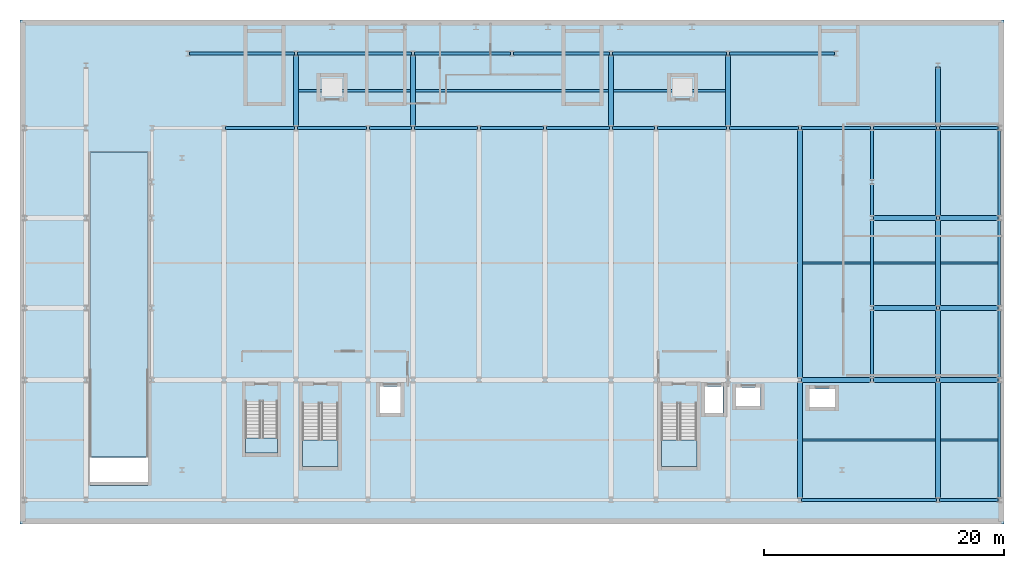
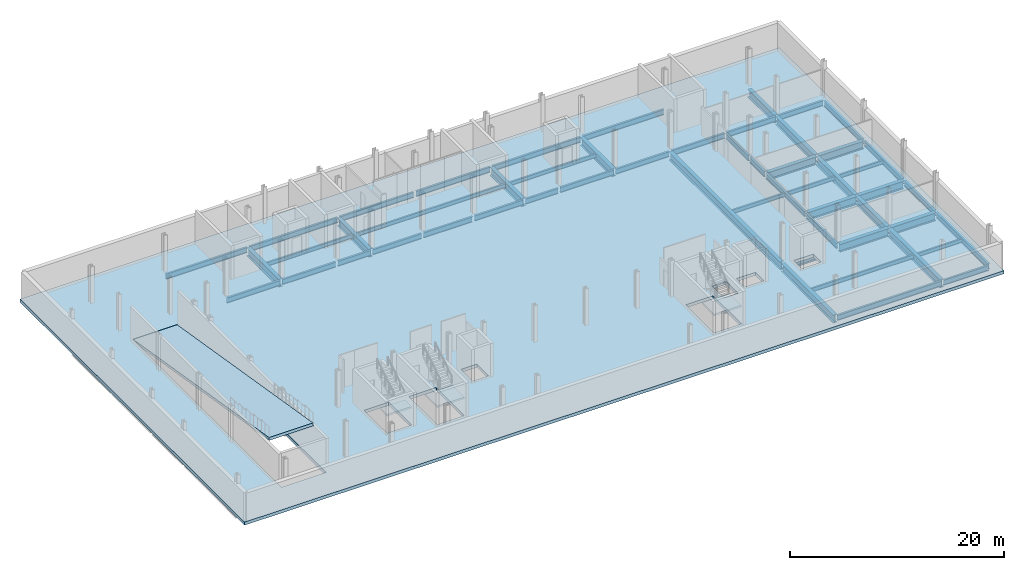
# One storey, part 4 of 12: 54 beams, 5 slabs, 3 elements without a shape of their own.
"""IFC4 building model written with IfcOpenShell, lengths in metres."""

from ifc_helpers import new_model, si_unit, direction, frame, origin, origin_2d, place, context, subcontext, project, spatial, polyline, i_section, outline, extrude, material, layer, layer_set, material_profile, profile_set, type_object, element, aggregate, save


model = new_model("IFC4")

# Units and contexts
model_context = context("Model", 3, precision=1e-05, world=origin(), true_north=direction((0.0, 1.0)))
body_context = subcontext(model_context, "Body", "Model", "MODEL_VIEW")
ifc_project = project(units=[si_unit("LENGTHUNIT", "METRE"), si_unit("AREAUNIT", "SQUARE_METRE"), si_unit("VOLUMEUNIT", "CUBIC_METRE"), si_unit("PLANEANGLEUNIT", "RADIAN"), si_unit("MASSUNIT", "GRAM", prefix="KILO")], contexts=[model_context])

# Site, building, storey
site_placement = place(None, origin())
site = spatial("IfcSite", under=ifc_project, at=site_placement, CompositionType="ELEMENT")
building_placement = place(site_placement, origin())
building = spatial("IfcBuilding", under=site, at=building_placement, Name="Brevholm Reach", CompositionType="ELEMENT")
storey_placement = place(building_placement, frame((0.0, 0.0, -4.199951171875)))
storey = spatial("IfcBuildingStorey", under=building, at=storey_placement, Name="B01", CompositionType="ELEMENT", Elevation=-4.199951171875)

# Beams
ifc_material_1 = material(Name="Structural Steel S355J2", Category="steel")
ifc_material_profile_1 = material_profile(ifc_material_1, i_section(OverallWidth=0.19140625, OverallDepth=0.4599609375, WebThickness=0.010009765625, FlangeThickness=0.01611328125, FilletRadius=0.01025390625, at=origin_2d()), Name="UKB 457x191x82")
ifc_profile_set_1 = profile_set([ifc_material_profile_1], Name="Structural Steel S355J2")
beam_type_1 = type_object("IfcBeamType", Name="BM-B460", PredefinedType="BEAM", material=ifc_profile_set_1)
beam_1_placement = place(storey_placement, frame((54.210205078125, 5.0, -0.590087890625), z_axis=(1.0, 0.0, 0.0), x_axis=(0.0, 1.0, 0.0)))
element("IfcBeam", 1, at=beam_1_placement, inside=storey, type_object=beam_type_1, Name="B01 Composite Secondary Floor Beam", PredefinedType="BEAM", context=body_context, shape_type="SweptSolid", body=[
    extrude(i_section(OverallWidth=0.19140625, OverallDepth=0.4599609375, WebThickness=0.010009765625, FlangeThickness=0.01611328125, FilletRadius=0.01025390625, at=origin_2d()), origin(), (0.0, 0.0, 1.0), 11.07958984375),
])
beam_2_placement = place(storey_placement, frame((65.710205078125, 5.0, -0.590087890625), z_axis=(1.0, 0.0, 0.0), x_axis=(0.0, 1.0, 0.0)))
element("IfcBeam", 2, at=beam_2_placement, inside=storey, type_object=beam_type_1, Name="B01 Composite Secondary Floor Beam", PredefinedType="BEAM", context=body_context, shape_type="SweptSolid", body=[
    extrude(i_section(OverallWidth=0.19140625, OverallDepth=0.4599609375, WebThickness=0.010009765625, FlangeThickness=0.01611328125, FilletRadius=0.01025390625, at=origin_2d()), origin(), (0.0, 0.0, 1.0), 4.775390625),
])
beam_3_placement = place(storey_placement, frame((54.210205078125, 19.75, -0.590087890625), z_axis=(1.0, 0.0, 0.0), x_axis=(0.0, 1.0, 0.0)))
element("IfcBeam", 3, at=beam_3_placement, inside=storey, type_object=beam_type_1, Name="B01 Composite Secondary Floor Beam", PredefinedType="BEAM", context=body_context, shape_type="SweptSolid", body=[
    extrude(i_section(OverallWidth=0.19140625, OverallDepth=0.4599609375, WebThickness=0.010009765625, FlangeThickness=0.01611328125, FilletRadius=0.01025390625, at=origin_2d()), origin(), (0.0, 0.0, 1.0), 5.67529296875),
])
beam_4_placement = place(storey_placement, frame((60.114501953125, 19.75, -0.590087890625), z_axis=(1.0, 0.0, 0.0), x_axis=(0.0, 1.0, 0.0)))
element("IfcBeam", 4, at=beam_4_placement, inside=storey, type_object=beam_type_1, Name="B01 Composite Secondary Floor Beam", PredefinedType="BEAM", context=body_context, shape_type="SweptSolid", body=[
    extrude(i_section(OverallWidth=0.19140625, OverallDepth=0.4599609375, WebThickness=0.010009765625, FlangeThickness=0.01611328125, FilletRadius=0.01025390625, at=origin_2d()), origin(), (0.0, 0.0, 1.0), 5.17529296875),
])
beam_5_placement = place(storey_placement, frame((65.710205078125, 19.75, -0.590087890625), z_axis=(1.0, 0.0, 0.0), x_axis=(0.0, 1.0, 0.0)))
element("IfcBeam", 5, at=beam_5_placement, inside=storey, type_object=beam_type_1, Name="B01 Composite Secondary Floor Beam", PredefinedType="BEAM", context=body_context, shape_type="SweptSolid", body=[
    extrude(i_section(OverallWidth=0.19140625, OverallDepth=0.4599609375, WebThickness=0.010009765625, FlangeThickness=0.01611328125, FilletRadius=0.01025390625, at=origin_2d()), origin(), (0.0, 0.0, 1.0), 4.775390625),
])
beam_6_placement = place(storey_placement, frame((12.210205078125, 34.10009765625, -0.590087890625), z_axis=(1.0, 0.0, 0.0), x_axis=(0.0, 1.0, 0.0)))
element("IfcBeam", 6, at=beam_6_placement, inside=storey, type_object=beam_type_1, Name="B01 Composite Secondary Floor Beam", PredefinedType="BEAM", context=body_context, shape_type="SweptSolid", body=[
    extrude(i_section(OverallWidth=0.19140625, OverallDepth=0.4599609375, WebThickness=0.010009765625, FlangeThickness=0.01611328125, FilletRadius=0.01025390625, at=origin_2d()), origin(), (0.0, 0.0, 1.0), 9.32958984375),
])
beam_7_placement = place(storey_placement, frame((21.960205078125, 34.10009765625, -0.590087890625), z_axis=(1.0, 0.0, 0.0), x_axis=(0.0, 1.0, 0.0)))
element("IfcBeam", 7, at=beam_7_placement, inside=storey, type_object=beam_type_1, Name="B01 Composite Secondary Floor Beam", PredefinedType="BEAM", context=body_context, shape_type="SweptSolid", body=[
    extrude(i_section(OverallWidth=0.19140625, OverallDepth=0.4599609375, WebThickness=0.010009765625, FlangeThickness=0.01611328125, FilletRadius=0.01025390625, at=origin_2d()), origin(), (0.0, 0.0, 1.0), 16.07958984375),
])
beam_8_placement = place(storey_placement, frame((38.460205078125, 34.10009765625, -0.590087890625), z_axis=(1.0, 0.0, 0.0), x_axis=(0.0, 1.0, 0.0)))
element("IfcBeam", 8, at=beam_8_placement, inside=storey, type_object=beam_type_1, Name="B01 Composite Secondary Floor Beam", PredefinedType="BEAM", context=body_context, shape_type="SweptSolid", body=[
    extrude(i_section(OverallWidth=0.19140625, OverallDepth=0.4599609375, WebThickness=0.010009765625, FlangeThickness=0.01611328125, FilletRadius=0.01025390625, at=origin_2d()), origin(), (0.0, 0.0, 1.0), 9.32958984375),
])
ifc_material_2 = material(Name="Structural Steel S355J2", Category="steel")
ifc_material_profile_2 = material_profile(ifc_material_2, i_section(OverallWidth=0.22900390625, OverallDepth=0.6123046875, WebThickness=0.011962890625, FlangeThickness=0.01953125, FilletRadius=0.0126953125, at=origin_2d()), Name="UKB 610x229x125")
ifc_profile_set_2 = profile_set([ifc_material_profile_2], Name="Structural Steel S355J2")
beam_type_2 = type_object("IfcBeamType", Name="BM-SP610", PredefinedType="SPANDREL", material=ifc_profile_set_2)
beam_9_placement = place(storey_placement, frame((54.1201171875, 0.0, -0.666259765625), z_axis=(1.0, 0.0, 0.0), x_axis=(0.0, 1.0, 0.0)))
element("IfcBeam", 9, at=beam_9_placement, inside=storey, type_object=beam_type_2, Name="B01 SP-01 Framing Beam", PredefinedType="SPANDREL", context=body_context, shape_type="SweptSolid", body=[
    extrude(i_section(OverallWidth=0.22900390625, OverallDepth=0.6123046875, WebThickness=0.011962890625, FlangeThickness=0.01953125, FilletRadius=0.0126953125, at=origin_2d()), origin(), (0.0, 0.0, 1.0), 11.259765625),
])
beam_10_placement = place(storey_placement, frame((65.6201171875, 0.0, -0.666259765625), z_axis=(1.0, 0.0, 0.0), x_axis=(0.0, 1.0, 0.0)))
element("IfcBeam", 10, at=beam_10_placement, inside=storey, type_object=beam_type_2, Name="B01 SP-01 Framing Beam", PredefinedType="SPANDREL", context=body_context, shape_type="SweptSolid", body=[
    extrude(i_section(OverallWidth=0.22900390625, OverallDepth=0.6123046875, WebThickness=0.011962890625, FlangeThickness=0.01953125, FilletRadius=0.0126953125, at=origin_2d()), origin(), (0.0, 0.0, 1.0), 4.85986328125),
])
for number, where, z_axis, x_axis, name in (
    (11, (6.1201171875, 31.0, -0.666259765625), (1.0, 0.0, 0.0), (0.0, 1.0, 0.0), "B01 SP-01 Framing Beam"),
    (12, (12.1201171875, 31.0, -0.666259765625), (1.0, 0.0, 0.0), (0.0, 1.0, 0.0), "B01 SP-01 Framing Beam"),
):
    element("IfcBeam", number, at=place(storey_placement, frame(where, z_axis=z_axis, x_axis=x_axis)), inside=storey, type_object=beam_type_2, Name=name, PredefinedType="SPANDREL", context=body_context, shape_type="SweptSolid", body=[
        extrude(i_section(OverallWidth=0.22900390625, OverallDepth=0.6123046875, WebThickness=0.011962890625, FlangeThickness=0.01953125, FilletRadius=0.0126953125, at=origin_2d()), origin(), (0.0, 0.0, 1.0), 5.759765625),
    ])
beam_11_placement = place(storey_placement, frame((18.1201171875, 31.0, -0.666259765625), z_axis=(1.0, 0.0, 0.0), x_axis=(0.0, 1.0, 0.0)))
element("IfcBeam", 13, at=beam_11_placement, inside=storey, type_object=beam_type_2, Name="B01 SP-01 Framing Beam", PredefinedType="SPANDREL", context=body_context, shape_type="SweptSolid", body=[
    extrude(i_section(OverallWidth=0.22900390625, OverallDepth=0.6123046875, WebThickness=0.011962890625, FlangeThickness=0.01953125, FilletRadius=0.0126953125, at=origin_2d()), origin(), (0.0, 0.0, 1.0), 3.509765625),
])
for number, where, z_axis, x_axis, name in (
    (14, (21.8701171875, 31.0, -0.666259765625), (1.0, 0.0, 0.0), (0.0, 1.0, 0.0), "B01 SP-01 Framing Beam"),
    (15, (27.3701171875, 31.0, -0.666259765625), (1.0, 0.0, 0.0), (0.0, 1.0, 0.0), "B01 SP-01 Framing Beam"),
    (16, (32.8701171875, 31.0, -0.666259765625), (1.0, 0.0, 0.0), (0.0, 1.0, 0.0), "B01 SP-01 Framing Beam"),
):
    element("IfcBeam", number, at=place(storey_placement, frame(where, z_axis=z_axis, x_axis=x_axis)), inside=storey, type_object=beam_type_2, Name=name, PredefinedType="SPANDREL", context=body_context, shape_type="SweptSolid", body=[
        extrude(i_section(OverallWidth=0.22900390625, OverallDepth=0.6123046875, WebThickness=0.011962890625, FlangeThickness=0.01953125, FilletRadius=0.0126953125, at=origin_2d()), origin(), (0.0, 0.0, 1.0), 5.259765625),
    ])
beam_12_placement = place(storey_placement, frame((38.3701171875, 31.0, -0.666259765625), z_axis=(1.0, 0.0, 0.0), x_axis=(0.0, 1.0, 0.0)))
element("IfcBeam", 17, at=beam_12_placement, inside=storey, type_object=beam_type_2, Name="B01 SP-01 Framing Beam", PredefinedType="SPANDREL", context=body_context, shape_type="SweptSolid", body=[
    extrude(i_section(OverallWidth=0.22900390625, OverallDepth=0.6123046875, WebThickness=0.011962890625, FlangeThickness=0.01953125, FilletRadius=0.0126953125, at=origin_2d()), origin(), (0.0, 0.0, 1.0), 3.509765625),
])
for number, where, z_axis, x_axis, name in (
    (18, (42.1201171875, 31.0, -0.666259765625), (1.0, 0.0, 0.0), (0.0, 1.0, 0.0), "B01 SP-01 Framing Beam"),
    (19, (48.1201171875, 31.0, -0.666259765625), (1.0, 0.0, 0.0), (0.0, 1.0, 0.0), "B01 SP-01 Framing Beam"),
    (20, (54.1201171875, 31.0, -0.666259765625), (1.0, 0.0, 0.0), (0.0, 1.0, 0.0), "B01 SP-01 Framing Beam"),
):
    element("IfcBeam", number, at=place(storey_placement, frame(where, z_axis=z_axis, x_axis=x_axis)), inside=storey, type_object=beam_type_2, Name=name, PredefinedType="SPANDREL", context=body_context, shape_type="SweptSolid", body=[
        extrude(i_section(OverallWidth=0.22900390625, OverallDepth=0.6123046875, WebThickness=0.011962890625, FlangeThickness=0.01953125, FilletRadius=0.0126953125, at=origin_2d()), origin(), (0.0, 0.0, 1.0), 5.759765625),
    ])
beam_13_placement = place(storey_placement, frame((60.1201171875, 31.0, -0.666259765625), z_axis=(1.0, 0.0, 0.0), x_axis=(0.0, 1.0, 0.0)))
element("IfcBeam", 21, at=beam_13_placement, inside=storey, type_object=beam_type_2, Name="B01 SP-01 Framing Beam", PredefinedType="SPANDREL", context=body_context, shape_type="SweptSolid", body=[
    extrude(i_section(OverallWidth=0.22900390625, OverallDepth=0.6123046875, WebThickness=0.011962890625, FlangeThickness=0.01953125, FilletRadius=0.0126953125, at=origin_2d()), origin(), (0.0, 0.0, 1.0), 5.259765625),
])
beam_14_placement = place(storey_placement, frame((65.6201171875, 31.0, -0.666259765625), z_axis=(1.0, 0.0, 0.0), x_axis=(0.0, 1.0, 0.0)))
element("IfcBeam", 22, at=beam_14_placement, inside=storey, type_object=beam_type_2, Name="B01 SP-01 Framing Beam", PredefinedType="SPANDREL", context=body_context, shape_type="SweptSolid", body=[
    extrude(i_section(OverallWidth=0.22900390625, OverallDepth=0.6123046875, WebThickness=0.011962890625, FlangeThickness=0.01953125, FilletRadius=0.0126953125, at=origin_2d()), origin(), (0.0, 0.0, 1.0), 4.85986328125),
])
beam_15_placement = place(storey_placement, frame((3.1201171875, 37.199951171875, -0.666259765625), z_axis=(1.0, 0.0, 0.0), x_axis=(0.0, 1.0, 0.0)))
element("IfcBeam", 23, at=beam_15_placement, inside=storey, type_object=beam_type_2, Name="B01 SP-01 Framing Beam", PredefinedType="SPANDREL", context=body_context, shape_type="SweptSolid", body=[
    extrude(i_section(OverallWidth=0.22900390625, OverallDepth=0.6123046875, WebThickness=0.011962890625, FlangeThickness=0.01953125, FilletRadius=0.0126953125, at=origin_2d()), origin(), (0.0, 0.0, 1.0), 8.759765625),
])
beam_16_placement = place(storey_placement, frame((12.1201171875, 37.199951171875, -0.666259765625), z_axis=(1.0, 0.0, 0.0), x_axis=(0.0, 1.0, 0.0)))
element("IfcBeam", 24, at=beam_16_placement, inside=storey, type_object=beam_type_2, Name="B01 SP-01 Framing Beam", PredefinedType="SPANDREL", context=body_context, shape_type="SweptSolid", body=[
    extrude(i_section(OverallWidth=0.22900390625, OverallDepth=0.6123046875, WebThickness=0.011962890625, FlangeThickness=0.01953125, FilletRadius=0.0126953125, at=origin_2d()), origin(), (0.0, 0.0, 1.0), 9.509765625),
])
for number, where, z_axis, x_axis, name in (
    (25, (21.8701171875, 37.199951171875, -0.666259765625), (1.0, 0.0, 0.0), (0.0, 1.0, 0.0), "B01 SP-01 Framing Beam"),
    (26, (30.1201171875, 37.199951171875, -0.666259765625), (1.0, 0.0, 0.0), (0.0, 1.0, 0.0), "B01 SP-01 Framing Beam"),
):
    element("IfcBeam", number, at=place(storey_placement, frame(where, z_axis=z_axis, x_axis=x_axis)), inside=storey, type_object=beam_type_2, Name=name, PredefinedType="SPANDREL", context=body_context, shape_type="SweptSolid", body=[
        extrude(i_section(OverallWidth=0.22900390625, OverallDepth=0.6123046875, WebThickness=0.011962890625, FlangeThickness=0.01953125, FilletRadius=0.0126953125, at=origin_2d()), origin(), (0.0, 0.0, 1.0), 8.009765625),
    ])
beam_17_placement = place(storey_placement, frame((38.3701171875, 37.199951171875, -0.666259765625), z_axis=(1.0, 0.0, 0.0), x_axis=(0.0, 1.0, 0.0)))
element("IfcBeam", 27, at=beam_17_placement, inside=storey, type_object=beam_type_2, Name="B01 SP-01 Framing Beam", PredefinedType="SPANDREL", context=body_context, shape_type="SweptSolid", body=[
    extrude(i_section(OverallWidth=0.22900390625, OverallDepth=0.6123046875, WebThickness=0.011962890625, FlangeThickness=0.01953125, FilletRadius=0.0126953125, at=origin_2d()), origin(), (0.0, 0.0, 1.0), 9.509765625),
])
beam_18_placement = place(storey_placement, frame((48.1201171875, 37.199951171875, -0.666259765625), z_axis=(1.0, 0.0, 0.0), x_axis=(0.0, 1.0, 0.0)))
element("IfcBeam", 28, at=beam_18_placement, inside=storey, type_object=beam_type_2, Name="B01 SP-01 Framing Beam", PredefinedType="SPANDREL", context=body_context, shape_type="SweptSolid", body=[
    extrude(i_section(OverallWidth=0.22900390625, OverallDepth=0.6123046875, WebThickness=0.011962890625, FlangeThickness=0.01953125, FilletRadius=0.0126953125, at=origin_2d()), origin(), (0.0, 0.0, 1.0), 8.759765625),
])
beam_19_placement = place(storey_placement, frame((60.0, 10.1201171875, -0.666259765625), z_axis=(0.0, 1.0, 0.0), x_axis=(-1.0, 0.0, 0.0)))
element("IfcBeam", 29, at=beam_19_placement, inside=storey, type_object=beam_type_2, Name="B01 SP-01 Framing Beam", PredefinedType="SPANDREL", context=body_context, shape_type="SweptSolid", body=[
    extrude(i_section(OverallWidth=0.22900390625, OverallDepth=0.6123046875, WebThickness=0.011962890625, FlangeThickness=0.01953125, FilletRadius=0.0126953125, at=origin_2d()), origin(), (0.0, 0.0, 1.0), 5.759765625),
])
beam_20_placement = place(storey_placement, frame((60.0, 16.1201171875, -0.666259765625), z_axis=(0.0, 1.0, 0.0), x_axis=(-1.0, 0.0, 0.0)))
element("IfcBeam", 30, at=beam_20_placement, inside=storey, type_object=beam_type_2, Name="B01 SP-01 Framing Beam", PredefinedType="SPANDREL", context=body_context, shape_type="SweptSolid", body=[
    extrude(i_section(OverallWidth=0.22900390625, OverallDepth=0.6123046875, WebThickness=0.011962890625, FlangeThickness=0.01953125, FilletRadius=0.0126953125, at=origin_2d()), origin(), (0.0, 0.0, 1.0), 7.259765625),
])
beam_21_placement = place(storey_placement, frame((60.0, 23.6201171875, -0.666259765625), z_axis=(0.0, 1.0, 0.0), x_axis=(-1.0, 0.0, 0.0)))
element("IfcBeam", 31, at=beam_21_placement, inside=storey, type_object=beam_type_2, Name="B01 SP-01 Framing Beam", PredefinedType="SPANDREL", context=body_context, shape_type="SweptSolid", body=[
    extrude(i_section(OverallWidth=0.22900390625, OverallDepth=0.6123046875, WebThickness=0.011962890625, FlangeThickness=0.01953125, FilletRadius=0.0126953125, at=origin_2d()), origin(), (0.0, 0.0, 1.0), 2.759765625),
])
beam_22_placement = place(storey_placement, frame((60.0, 26.6201171875, -0.666259765625), z_axis=(0.0, 1.0, 0.0), x_axis=(-1.0, 0.0, 0.0)))
element("IfcBeam", 32, at=beam_22_placement, inside=storey, type_object=beam_type_2, Name="B01 SP-01 Framing Beam", PredefinedType="SPANDREL", context=body_context, shape_type="SweptSolid", body=[
    extrude(i_section(OverallWidth=0.22900390625, OverallDepth=0.6123046875, WebThickness=0.011962890625, FlangeThickness=0.01953125, FilletRadius=0.0126953125, at=origin_2d()), origin(), (0.0, 0.0, 1.0), 4.259765625),
])
beam_23_placement = place(storey_placement, frame((70.60009765625, 0.1201171875, -0.666259765625), z_axis=(0.0, 1.0, 0.0), x_axis=(-1.0, 0.0, 0.0)))
element("IfcBeam", 33, at=beam_23_placement, inside=storey, type_object=beam_type_2, Name="B01 SP-01 Framing Beam", PredefinedType="SPANDREL", context=body_context, shape_type="SweptSolid", body=[
    extrude(i_section(OverallWidth=0.22900390625, OverallDepth=0.6123046875, WebThickness=0.011962890625, FlangeThickness=0.01953125, FilletRadius=0.0126953125, at=origin_2d()), origin(), (0.0, 0.0, 1.0), 9.759765625),
])
beam_24_placement = place(storey_placement, frame((70.60009765625, 10.1201171875, -0.666259765625), z_axis=(0.0, 1.0, 0.0), x_axis=(-1.0, 0.0, 0.0)))
element("IfcBeam", 34, at=beam_24_placement, inside=storey, type_object=beam_type_2, Name="B01 SP-01 Framing Beam", PredefinedType="SPANDREL", context=body_context, shape_type="SweptSolid", body=[
    extrude(i_section(OverallWidth=0.22900390625, OverallDepth=0.6123046875, WebThickness=0.011962890625, FlangeThickness=0.01953125, FilletRadius=0.0126953125, at=origin_2d()), origin(), (0.0, 0.0, 1.0), 5.759765625),
])
for number, where, z_axis, x_axis, name in (
    (35, (70.60009765625, 16.1201171875, -0.666259765625), (0.0, 1.0, 0.0), (-1.0, 0.0, 0.0), "B01 SP-01 Framing Beam"),
    (36, (70.60009765625, 23.6201171875, -0.666259765625), (0.0, 1.0, 0.0), (-1.0, 0.0, 0.0), "B01 SP-01 Framing Beam"),
):
    element("IfcBeam", number, at=place(storey_placement, frame(where, z_axis=z_axis, x_axis=x_axis)), inside=storey, type_object=beam_type_2, Name=name, PredefinedType="SPANDREL", context=body_context, shape_type="SweptSolid", body=[
        extrude(i_section(OverallWidth=0.22900390625, OverallDepth=0.6123046875, WebThickness=0.011962890625, FlangeThickness=0.01953125, FilletRadius=0.0126953125, at=origin_2d()), origin(), (0.0, 0.0, 1.0), 7.259765625),
    ])
ifc_material_3 = material(Name="Structural Steel S460ML", Category="steel")
ifc_material_profile_3 = material_profile(ifc_material_3, i_section(OverallWidth=0.42041015625, OverallDepth=0.9208984375, WebThickness=0.021484375, FlangeThickness=0.03662109375, FilletRadius=0.024169921875, at=origin_2d()), Name="UKB 914x419x388")
ifc_profile_set_3 = profile_set([ifc_material_profile_3], Name="Structural Steel S460ML")
beam_type_3 = type_object("IfcBeamType", Name="BM-UKB914", PredefinedType="USERDEFINED", material=ifc_profile_set_3)
beam_25_placement = place(storey_placement, frame((54.1201171875, 10.0, -0.820556640625), z_axis=(1.0, 0.0, 0.0), x_axis=(0.0, 1.0, 0.0)))
element("IfcBeam", 37, at=beam_25_placement, inside=storey, type_object=beam_type_3, Name="B01 G-02 Framing Beam", ObjectType="GIRDER", PredefinedType="USERDEFINED", context=body_context, shape_type="SweptSolid", body=[
    extrude(i_section(OverallWidth=0.42041015625, OverallDepth=0.9208984375, WebThickness=0.021484375, FlangeThickness=0.03662109375, FilletRadius=0.024169921875, at=origin_2d()), origin(), (0.0, 0.0, 1.0), 5.759765625),
])
beam_26_placement = place(storey_placement, frame((60.1201171875, 10.0, -0.820556640625), z_axis=(1.0, 0.0, 0.0), x_axis=(0.0, 1.0, 0.0)))
element("IfcBeam", 38, at=beam_26_placement, inside=storey, type_object=beam_type_3, Name="B01 G-02 Framing Beam", ObjectType="GIRDER", PredefinedType="USERDEFINED", context=body_context, shape_type="SweptSolid", body=[
    extrude(i_section(OverallWidth=0.42041015625, OverallDepth=0.9208984375, WebThickness=0.021484375, FlangeThickness=0.03662109375, FilletRadius=0.024169921875, at=origin_2d()), origin(), (0.0, 0.0, 1.0), 5.259765625),
])
beam_27_placement = place(storey_placement, frame((65.6201171875, 10.0, -0.820556640625), z_axis=(1.0, 0.0, 0.0), x_axis=(0.0, 1.0, 0.0)))
element("IfcBeam", 39, at=beam_27_placement, inside=storey, type_object=beam_type_3, Name="B01 G-02 Framing Beam", ObjectType="GIRDER", PredefinedType="USERDEFINED", context=body_context, shape_type="SweptSolid", body=[
    extrude(i_section(OverallWidth=0.42041015625, OverallDepth=0.9208984375, WebThickness=0.021484375, FlangeThickness=0.03662109375, FilletRadius=0.024169921875, at=origin_2d()), origin(), (0.0, 0.0, 1.0), 4.85986328125),
])
beam_28_placement = place(storey_placement, frame((60.1201171875, 16.0, -0.820556640625), z_axis=(1.0, 0.0, 0.0), x_axis=(0.0, 1.0, 0.0)))
element("IfcBeam", 40, at=beam_28_placement, inside=storey, type_object=beam_type_3, Name="B01 G-02 Framing Beam", ObjectType="GIRDER", PredefinedType="USERDEFINED", context=body_context, shape_type="SweptSolid", body=[
    extrude(i_section(OverallWidth=0.42041015625, OverallDepth=0.9208984375, WebThickness=0.021484375, FlangeThickness=0.03662109375, FilletRadius=0.024169921875, at=origin_2d()), origin(), (0.0, 0.0, 1.0), 5.259765625),
])
beam_29_placement = place(storey_placement, frame((65.6201171875, 16.0, -0.820556640625), z_axis=(1.0, 0.0, 0.0), x_axis=(0.0, 1.0, 0.0)))
element("IfcBeam", 41, at=beam_29_placement, inside=storey, type_object=beam_type_3, Name="B01 G-02 Framing Beam", ObjectType="GIRDER", PredefinedType="USERDEFINED", context=body_context, shape_type="SweptSolid", body=[
    extrude(i_section(OverallWidth=0.42041015625, OverallDepth=0.9208984375, WebThickness=0.021484375, FlangeThickness=0.03662109375, FilletRadius=0.024169921875, at=origin_2d()), origin(), (0.0, 0.0, 1.0), 4.85986328125),
])
beam_30_placement = place(storey_placement, frame((60.1201171875, 23.5, -0.820556640625), z_axis=(1.0, 0.0, 0.0), x_axis=(0.0, 1.0, 0.0)))
element("IfcBeam", 42, at=beam_30_placement, inside=storey, type_object=beam_type_3, Name="B01 G-02 Framing Beam", ObjectType="GIRDER", PredefinedType="USERDEFINED", context=body_context, shape_type="SweptSolid", body=[
    extrude(i_section(OverallWidth=0.42041015625, OverallDepth=0.9208984375, WebThickness=0.021484375, FlangeThickness=0.03662109375, FilletRadius=0.024169921875, at=origin_2d()), origin(), (0.0, 0.0, 1.0), 5.259765625),
])
beam_31_placement = place(storey_placement, frame((65.6201171875, 23.5, -0.820556640625), z_axis=(1.0, 0.0, 0.0), x_axis=(0.0, 1.0, 0.0)))
element("IfcBeam", 43, at=beam_31_placement, inside=storey, type_object=beam_type_3, Name="B01 G-02 Framing Beam", ObjectType="GIRDER", PredefinedType="USERDEFINED", context=body_context, shape_type="SweptSolid", body=[
    extrude(i_section(OverallWidth=0.42041015625, OverallDepth=0.9208984375, WebThickness=0.021484375, FlangeThickness=0.03662109375, FilletRadius=0.024169921875, at=origin_2d()), origin(), (0.0, 0.0, 1.0), 4.85986328125),
])
for number, where, z_axis, x_axis, name in (
    (44, (12.0, 31.1201171875, -0.820556640625), (0.0, 1.0, 0.0), (-1.0, 0.0, 0.0), "B01 G-02 Framing Beam"),
    (45, (21.75, 31.1201171875, -0.820556640625), (0.0, 1.0, 0.0), (-1.0, 0.0, 0.0), "B01 G-02 Framing Beam"),
    (46, (38.25, 31.1201171875, -0.820556640625), (0.0, 1.0, 0.0), (-1.0, 0.0, 0.0), "B01 G-02 Framing Beam"),
    (47, (48.0, 31.1201171875, -0.820556640625), (0.0, 1.0, 0.0), (-1.0, 0.0, 0.0), "B01 G-02 Framing Beam"),
):
    element("IfcBeam", number, at=place(storey_placement, frame(where, z_axis=z_axis, x_axis=x_axis)), inside=storey, type_object=beam_type_3, Name=name, ObjectType="GIRDER", PredefinedType="USERDEFINED", context=body_context, shape_type="SweptSolid", body=[
        extrude(i_section(OverallWidth=0.42041015625, OverallDepth=0.9208984375, WebThickness=0.021484375, FlangeThickness=0.03662109375, FilletRadius=0.024169921875, at=origin_2d()), origin(), (0.0, 0.0, 1.0), 5.9599609375),
    ])
beam_32_placement = place(storey_placement, frame((54.0, 0.1201171875, -0.820556640625), z_axis=(0.0, 1.0, 0.0), x_axis=(-1.0, 0.0, 0.0)))
element("IfcBeam", 48, at=beam_32_placement, inside=storey, type_object=beam_type_3, Name="B01 G-02 Framing Beam", ObjectType="GIRDER", PredefinedType="USERDEFINED", context=body_context, shape_type="SweptSolid", body=[
    extrude(i_section(OverallWidth=0.42041015625, OverallDepth=0.9208984375, WebThickness=0.021484375, FlangeThickness=0.03662109375, FilletRadius=0.024169921875, at=origin_2d()), origin(), (0.0, 0.0, 1.0), 9.759765625),
])
beam_33_placement = place(storey_placement, frame((54.0, 10.1201171875, -0.820556640625), z_axis=(0.0, 1.0, 0.0), x_axis=(-1.0, 0.0, 0.0)))
element("IfcBeam", 49, at=beam_33_placement, inside=storey, type_object=beam_type_3, Name="B01 G-02 Framing Beam", ObjectType="GIRDER", PredefinedType="USERDEFINED", context=body_context, shape_type="SweptSolid", body=[
    extrude(i_section(OverallWidth=0.42041015625, OverallDepth=0.9208984375, WebThickness=0.021484375, FlangeThickness=0.03662109375, FilletRadius=0.024169921875, at=origin_2d()), origin(), (0.0, 0.0, 1.0), 20.759765625),
])
beam_34_placement = place(storey_placement, frame((65.5, 0.1201171875, -0.820556640625), z_axis=(0.0, 1.0, 0.0), x_axis=(-1.0, 0.0, 0.0)))
element("IfcBeam", 50, at=beam_34_placement, inside=storey, type_object=beam_type_3, Name="B01 G-02 Framing Beam", ObjectType="GIRDER", PredefinedType="USERDEFINED", context=body_context, shape_type="SweptSolid", body=[
    extrude(i_section(OverallWidth=0.42041015625, OverallDepth=0.9208984375, WebThickness=0.021484375, FlangeThickness=0.03662109375, FilletRadius=0.024169921875, at=origin_2d()), origin(), (0.0, 0.0, 1.0), 9.759765625),
])
beam_35_placement = place(storey_placement, frame((65.5, 10.1201171875, -0.820556640625), z_axis=(0.0, 1.0, 0.0), x_axis=(-1.0, 0.0, 0.0)))
element("IfcBeam", 51, at=beam_35_placement, inside=storey, type_object=beam_type_3, Name="B01 G-02 Framing Beam", ObjectType="GIRDER", PredefinedType="USERDEFINED", context=body_context, shape_type="SweptSolid", body=[
    extrude(i_section(OverallWidth=0.42041015625, OverallDepth=0.9208984375, WebThickness=0.021484375, FlangeThickness=0.03662109375, FilletRadius=0.024169921875, at=origin_2d()), origin(), (0.0, 0.0, 1.0), 5.759765625),
])
for number, where, z_axis, x_axis, name in (
    (52, (65.5, 16.1201171875, -0.820556640625), (0.0, 1.0, 0.0), (-1.0, 0.0, 0.0), "B01 G-02 Framing Beam"),
    (53, (65.5, 23.6201171875, -0.820556640625), (0.0, 1.0, 0.0), (-1.0, 0.0, 0.0), "B01 G-02 Framing Beam"),
):
    element("IfcBeam", number, at=place(storey_placement, frame(where, z_axis=z_axis, x_axis=x_axis)), inside=storey, type_object=beam_type_3, Name=name, ObjectType="GIRDER", PredefinedType="USERDEFINED", context=body_context, shape_type="SweptSolid", body=[
        extrude(i_section(OverallWidth=0.42041015625, OverallDepth=0.9208984375, WebThickness=0.021484375, FlangeThickness=0.03662109375, FilletRadius=0.024169921875, at=origin_2d()), origin(), (0.0, 0.0, 1.0), 7.259765625),
    ])
beam_36_placement = place(storey_placement, frame((65.5, 31.1201171875, -0.820556640625), z_axis=(0.0, 1.0, 0.0), x_axis=(-1.0, 0.0, 0.0)))
element("IfcBeam", 54, at=beam_36_placement, inside=storey, type_object=beam_type_3, Name="B01 G-02 Framing Beam", ObjectType="GIRDER", PredefinedType="USERDEFINED", context=body_context, shape_type="SweptSolid", body=[
    extrude(i_section(OverallWidth=0.42041015625, OverallDepth=0.9208984375, WebThickness=0.021484375, FlangeThickness=0.03662109375, FilletRadius=0.024169921875, at=origin_2d()), origin(), (0.0, 0.0, 1.0), 4.9599609375),
])

# Slab
ifc_material_4 = material(Name="Concrete C50/60", Category="concrete")
ifc_layer_1 = layer(ifc_material_4, 0.360107421875)
ifc_layer_set_1 = layer_set([ifc_layer_1], Name="Concrete C50/60")
slab_type_1 = type_object("IfcSlabType", Name="SLB-FL-360", PredefinedType="FLOOR", material=ifc_layer_set_1)
slab_1_placement = place(storey_placement, frame((0.0, 0.0, -0.360107421875)))
element("IfcSlab", 55, at=slab_1_placement, inside=storey, type_object=slab_type_1, Name="B01 Suspended Floor Slab (main)", PredefinedType="FLOOR", context=body_context, shape_type="SweptSolid", body=[
    extrude(outline(polyline([(-11.0, -2.0), (71.0, -2.0), (71.0, 40.0), (-11.0, 40.0), (-11.0, -2.0)]), holes=[polyline([(-5.14990234375, 1.199951171875), (-0.35009765625, 1.199951171875), (-0.35009765625, 29.0400390625), (-5.14990234375, 29.0400390625), (-5.14990234375, 1.199951171875)]), polyline([(12.550048828125, 2.780029296875), (15.5, 2.780029296875), (15.5, 8.044921875), (12.550048828125, 8.044921875), (12.550048828125, 2.780029296875)]), polyline([(42.449951171875, 2.780029296875), (45.39990234375, 2.780029296875), (45.39990234375, 8.044921875), (42.449951171875, 8.044921875), (42.449951171875, 2.780029296875)]), polyline([(7.800048828125, 3.919921875), (10.449951171875, 3.919921875), (10.449951171875, 8.195068359375), (7.800048828125, 8.195068359375), (7.800048828125, 3.919921875)]), polyline([(19.0, 7.25), (20.699951171875, 7.25), (20.699951171875, 9.449951171875), (19.0, 9.449951171875), (19.0, 7.25)]), polyline([(46.10009765625, 7.25), (47.60009765625, 7.25), (47.60009765625, 9.449951171875), (46.10009765625, 9.449951171875), (46.10009765625, 7.25)]), polyline([(48.675048828125, 7.824951171875), (50.72509765625, 7.824951171875), (50.72509765625, 9.375), (48.675048828125, 9.375), (48.675048828125, 7.824951171875)]), polyline([(54.800048828125, 7.75), (56.89990234375, 7.75), (56.89990234375, 9.25), (54.800048828125, 9.25), (54.800048828125, 7.75)])]), origin(), (0.0, 0.0, 1.0), 0.360107421875),
])

# Stair, slab
ifc_material_5 = material(Name="Precast Concrete C40/50", Category="concrete")
stair_type_1 = type_object("IfcStairType", Name="STR-ESC-1400", PredefinedType="DOUBLE_RETURN_STAIR", material=ifc_material_5)
stair_1_placement = place(storey_placement, origin())
stair_1 = element("IfcStair", 56, at=stair_1_placement, inside=storey, type_object=stair_type_1, Name="B01 ST-1", PredefinedType="DOUBLE_RETURN_STAIR")
ifc_material_6 = material(Name="Concrete C40/50", Category="concrete")
ifc_layer_2 = layer(ifc_material_6, 0.199951171875)
ifc_layer_set_2 = layer_set([ifc_layer_2], Name="Concrete C40/50")
slab_type_2 = type_object("IfcSlabType", Name="SLB-LND-200", PredefinedType="LANDING", material=ifc_layer_set_2)
slab_2_placement = place(storey_placement, frame((0.0, 0.0, 1.89990234375)))
slab_2 = element("IfcSlab", 57, at=slab_2_placement, type_object=slab_type_2, Name="ST-1 landing 1", PredefinedType="LANDING", context=body_context, shape_type="SweptSolid", body=[
    extrude(outline(polyline([(12.550048828125, 5.02001953125), (12.550048828125, 2.780029296875), (15.5, 2.780029296875), (15.5, 5.02001953125), (12.550048828125, 5.02001953125)])), origin(), (0.0, 0.0, 1.0), 0.199951171875),
])
aggregate(stair_1, [slab_2])

stair_2_placement = place(storey_placement, origin())
stair_2 = element("IfcStair", 58, at=stair_2_placement, inside=storey, type_object=stair_type_1, Name="B01 ST-2", PredefinedType="DOUBLE_RETURN_STAIR")
slab_3_placement = place(storey_placement, frame((0.0, 0.0, 1.89990234375)))
slab_3 = element("IfcSlab", 59, at=slab_3_placement, type_object=slab_type_2, Name="ST-2 landing 1", PredefinedType="LANDING", context=body_context, shape_type="SweptSolid", body=[
    extrude(outline(polyline([(42.449951171875, 5.02001953125), (42.449951171875, 2.780029296875), (45.39990234375, 2.780029296875), (45.39990234375, 5.02001953125), (42.449951171875, 5.02001953125)])), origin(), (0.0, 0.0, 1.0), 0.199951171875),
])
aggregate(stair_2, [slab_3])

ifc_material_7 = material(Name="Precast Concrete C40/50", Category="concrete")
stair_type_2 = type_object("IfcStairType", Name="STR-ESC-1250", PredefinedType="DOUBLE_RETURN_STAIR", material=ifc_material_7)
stair_3_placement = place(storey_placement, origin())
stair_3 = element("IfcStair", 60, at=stair_3_placement, inside=storey, type_object=stair_type_2, Name="B01 ST-B1", PredefinedType="DOUBLE_RETURN_STAIR")
slab_4_placement = place(storey_placement, frame((0.0, 0.0, 1.89990234375)))
slab_4 = element("IfcSlab", 61, at=slab_4_placement, type_object=slab_type_2, Name="ST-B1 landing 1", PredefinedType="LANDING", context=body_context, shape_type="SweptSolid", body=[
    extrude(outline(polyline([(7.800048828125, 5.169921875), (7.800048828125, 3.919921875), (10.449951171875, 3.919921875), (10.449951171875, 5.169921875), (7.800048828125, 5.169921875)])), origin(), (0.0, 0.0, 1.0), 0.199951171875),
])
aggregate(stair_3, [slab_4])

# Slab
ifc_material_8 = material(Name="Concrete C40/50", Category="concrete")
ifc_layer_3 = layer(ifc_material_8, 0.300048828125)
ifc_layer_set_3 = layer_set([ifc_layer_3], Name="Concrete C40/50")
slab_type_3 = type_object("IfcSlabType", Name="SLB-RMP-300", PredefinedType="FLOOR", material=ifc_layer_set_3)
slab_5_placement = place(storey_placement, frame((-5.1298828125, 29.02001953125, 0.0), z_axis=(0.0, 0.163012792038, 0.986623955533), x_axis=(1.0, 0.0, 0.0)))
element("IfcSlab", 62, at=slab_5_placement, inside=storey, type_object=slab_type_3, Name="Car Park Structural Vehicle Ramp Slab R1-F1", PredefinedType="FLOOR", context=body_context, shape_type="SweptSolid", body=[
    extrude(outline(polyline([(0.0, 0.0), (4.759765625, 0.0), (4.759765625, -25.7646484375), (0.0, -25.7646484375), (0.0, 0.0)])), origin(), (0.0, 0.0, -1.0), 0.300048828125),
])

save(model, "model.ifc")
